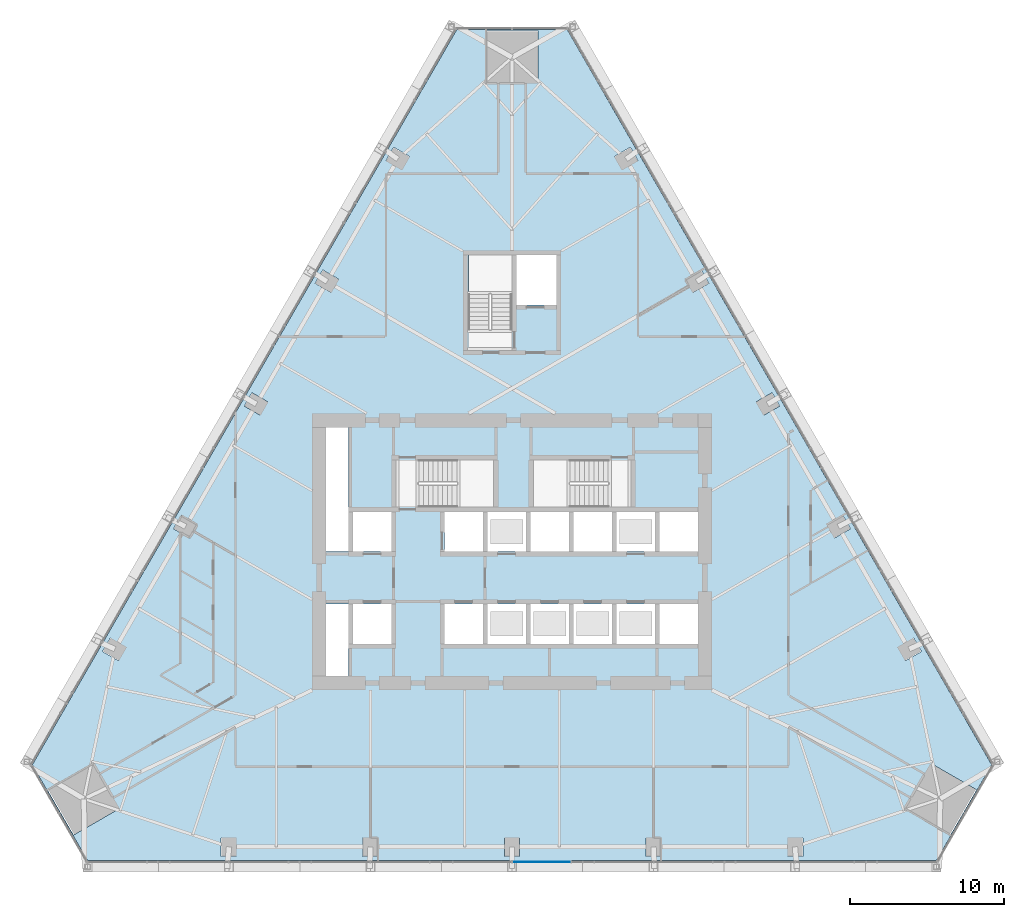
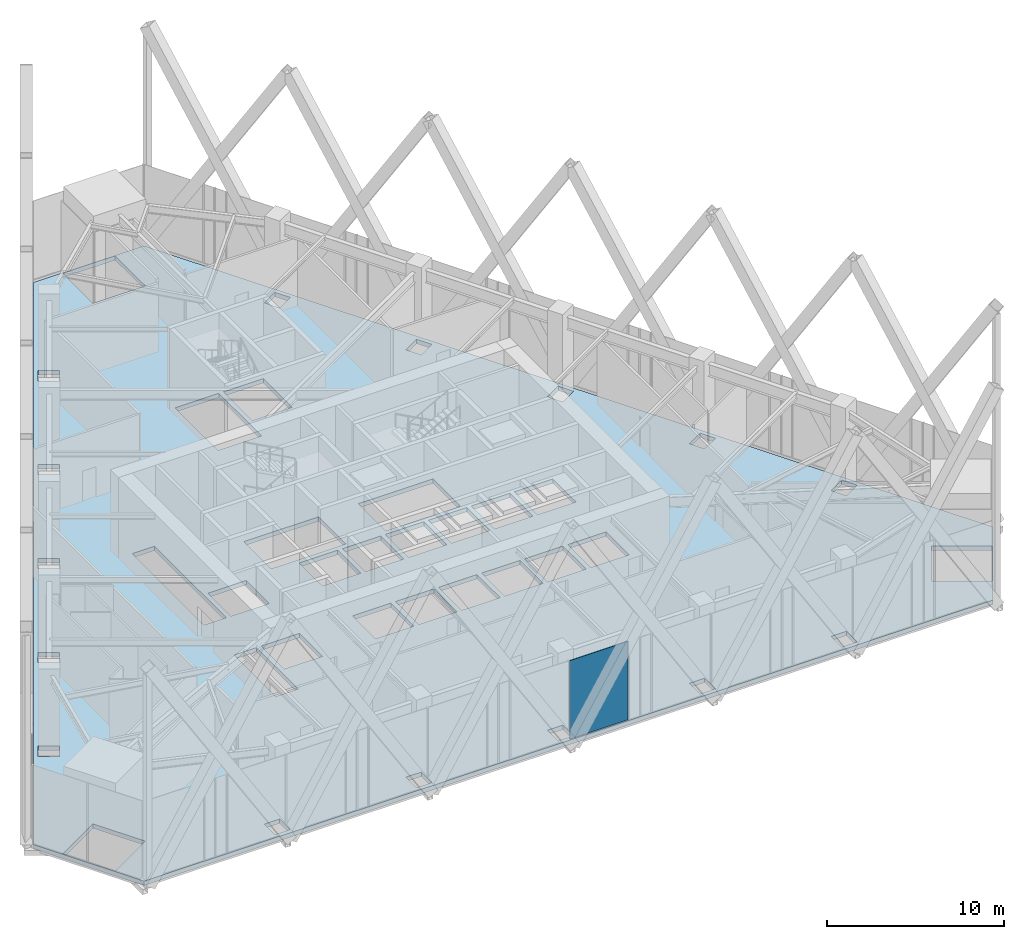
# One storey, part 12 of 21: 1 plate, 1 slab, 1 element without a shape of its own.
"""IFC4 building model written with IfcOpenShell, lengths in metres."""

from ifc_helpers import new_model, si_unit, direction, frame, origin, place, context, subcontext, project, spatial, polyline, outline, extrude, material, layer, layer_set, type_object, element, aggregate, save


model = new_model("IFC4")

# Units and contexts
model_context = context("Model", 3, precision=1e-05, world=origin(), true_north=direction((0.0, 1.0)))
body_context = subcontext(model_context, "Body", "Model", "MODEL_VIEW")
ifc_project = project(units=[si_unit("LENGTHUNIT", "METRE"), si_unit("AREAUNIT", "SQUARE_METRE"), si_unit("VOLUMEUNIT", "CUBIC_METRE"), si_unit("PLANEANGLEUNIT", "RADIAN"), si_unit("MASSUNIT", "GRAM", prefix="KILO")], contexts=[model_context])

# Site, building, storey
site_placement = place(None, origin())
site = spatial("IfcSite", under=ifc_project, at=site_placement, CompositionType="ELEMENT")
building_placement = place(site_placement, origin())
building = spatial("IfcBuilding", under=site, at=building_placement, Name="Firuza Gate Tower and Library", CompositionType="ELEMENT")
storey_placement = place(building_placement, frame((0.0, 0.0, 140.800048828125)))
storey = spatial("IfcBuildingStorey", under=building, at=storey_placement, Name="L32", CompositionType="ELEMENT", Elevation=140.800048828125)

# Slab
ifc_material_1 = material(Name="Concrete C40/50", Category="concrete")
ifc_layer_1 = layer(ifc_material_1, 0.300048828125)
ifc_layer_set_1 = layer_set([ifc_layer_1], Name="Composite floor slab 300 C40/50")
slab_type = type_object("IfcSlabType", Name="Composite floor slab 300 C40/50", PredefinedType="FLOOR", material=ifc_layer_set_1)
slab_placement = place(storey_placement, frame((0.0, 0.0, -0.300048828125)))
element("IfcSlab", 1, at=slab_placement, inside=storey, type_object=slab_type, Name="Floor slab L32", PredefinedType="FLOOR", context=body_context, shape_type="SweptSolid", body=[
    extrude(outline(polyline([(43.77978515625, 61.1318359375), (47.3798828125, 54.896484375), (102.6201171875, 54.896484375), (106.22021484375, 61.1318359375), (78.60009765625, 108.971435546875), (71.39990234375, 108.971435546875), (43.77978515625, 61.1318359375)]), holes=[polyline([(56.0537109375, 55.168212890625), (56.0537109375, 56.3681640625), (57.0537109375, 56.3681640625), (57.0537109375, 55.168212890625), (56.0537109375, 55.168212890625)]), polyline([(65.27685546875, 55.168212890625), (65.27685546875, 56.3681640625), (66.27685546875, 56.3681640625), (66.27685546875, 55.168212890625), (65.27685546875, 55.168212890625)]), polyline([(44.767333984375, 59.508056640625), (47.711669921875, 61.2080078125), (49.41162109375, 58.263671875), (46.46728515625, 56.563720703125), (44.767333984375, 59.508056640625)]), polyline([(48.85205078125, 69.3740234375), (49.89111328125, 68.77392578125), (49.39111328125, 67.907958984375), (48.35205078125, 68.508056640625), (48.85205078125, 69.3740234375)]), polyline([(64.35009765625, 66.89990234375), (62.89990234375, 66.89990234375), (62.89990234375, 71.60009765625), (64.35009765625, 71.60009765625), (64.35009765625, 66.89990234375)]), polyline([(75.89990234375, 69.0), (73.39990234375, 69.0), (73.39990234375, 71.60009765625), (75.89990234375, 71.60009765625), (75.89990234375, 69.0)]), polyline([(73.10009765625, 69.0), (70.60009765625, 69.0), (70.60009765625, 71.60009765625), (73.10009765625, 71.60009765625), (73.10009765625, 69.0)]), polyline([(64.64990234375, 69.0), (64.64990234375, 71.60009765625), (67.14990234375, 71.60009765625), (67.14990234375, 69.0), (64.64990234375, 69.0)]), polyline([(64.64990234375, 75.0), (64.64990234375, 77.60009765625), (67.14990234375, 77.60009765625), (67.14990234375, 75.0), (64.64990234375, 75.0)]), polyline([(75.89990234375, 75.0), (73.39990234375, 75.0), (73.39990234375, 77.60009765625), (75.89990234375, 77.60009765625), (75.89990234375, 75.0)]), polyline([(73.10009765625, 75.0), (70.60009765625, 75.0), (70.60009765625, 77.60009765625), (73.10009765625, 77.60009765625), (73.10009765625, 75.0)]), polyline([(53.463623046875, 77.361572265625), (54.502685546875, 76.761474609375), (54.002685546875, 75.8955078125), (52.963623046875, 76.495361328125), (53.463623046875, 77.361572265625)]), polyline([(62.89990234375, 75.0), (62.89990234375, 83.10009765625), (64.35009765625, 83.10009765625), (64.35009765625, 75.0), (62.89990234375, 75.0)]), polyline([(68.9404296875, 77.89990234375), (68.9404296875, 80.97998046875), (73.81005859375, 80.97998046875), (73.81005859375, 77.89990234375), (68.9404296875, 77.89990234375)]), polyline([(58.0751953125, 85.348876953125), (59.1142578125, 84.7490234375), (58.6142578125, 83.8828125), (57.5751953125, 84.48291015625), (58.0751953125, 85.348876953125)]), polyline([(72.159912109375, 89.470458984375), (72.159912109375, 94.300048828125), (75.0, 94.300048828125), (75.0, 89.470458984375), (72.159912109375, 89.470458984375)]), polyline([(62.686767578125, 93.33642578125), (63.725830078125, 92.736328125), (63.225830078125, 91.870361328125), (62.186767578125, 92.470458984375), (62.686767578125, 93.33642578125)]), polyline([(68.33740234375, 100.723876953125), (67.83740234375, 99.85791015625), (66.79833984375, 100.457763671875), (67.29833984375, 101.323974609375), (68.33740234375, 100.723876953125)]), polyline([(76.699951171875, 105.5283203125), (73.300048828125, 105.5283203125), (73.300048828125, 108.92822265625), (76.699951171875, 108.92822265625), (76.699951171875, 105.5283203125)]), polyline([(92.9462890625, 55.168212890625), (92.9462890625, 56.3681640625), (93.9462890625, 56.3681640625), (93.9462890625, 55.168212890625), (92.9462890625, 55.168212890625)]), polyline([(74.5, 55.168212890625), (74.5, 56.3681640625), (75.5, 56.3681640625), (75.5, 55.168212890625), (74.5, 55.168212890625)]), polyline([(83.72314453125, 55.168212890625), (83.72314453125, 56.3681640625), (84.72314453125, 56.3681640625), (84.72314453125, 55.168212890625), (83.72314453125, 55.168212890625)]), polyline([(103.53271484375, 56.563720703125), (100.58837890625, 58.263671875), (102.288330078125, 61.2080078125), (105.232666015625, 59.508056640625), (103.53271484375, 56.563720703125)]), polyline([(101.64794921875, 68.508056640625), (100.60888671875, 67.907958984375), (100.10888671875, 68.77392578125), (101.14794921875, 69.3740234375), (101.64794921875, 68.508056640625)]), polyline([(78.699951171875, 69.0), (76.199951171875, 69.0), (76.199951171875, 71.60009765625), (78.699951171875, 71.60009765625), (78.699951171875, 69.0)]), polyline([(81.5, 69.0), (79.0, 69.0), (79.0, 71.60009765625), (81.5, 71.60009765625), (81.5, 69.0)]), polyline([(84.60009765625, 69.0), (84.60009765625, 71.60009765625), (87.10009765625, 71.60009765625), (87.10009765625, 69.0), (84.60009765625, 69.0)]), polyline([(81.800048828125, 69.0), (81.800048828125, 71.60009765625), (84.300048828125, 71.60009765625), (84.300048828125, 69.0), (81.800048828125, 69.0)]), polyline([(84.300048828125, 75.0), (81.800048828125, 75.0), (81.800048828125, 77.60009765625), (84.300048828125, 77.60009765625), (84.300048828125, 75.0)]), polyline([(87.10009765625, 75.0), (84.60009765625, 75.0), (84.60009765625, 77.60009765625), (87.10009765625, 77.60009765625), (87.10009765625, 75.0)]), polyline([(81.5, 75.0), (79.0, 75.0), (79.0, 77.60009765625), (81.5, 77.60009765625), (81.5, 75.0)]), polyline([(76.199951171875, 75.0), (76.199951171875, 77.60009765625), (78.699951171875, 77.60009765625), (78.699951171875, 75.0), (76.199951171875, 75.0)]), polyline([(95.997314453125, 75.8955078125), (95.497314453125, 76.761474609375), (96.536376953125, 77.361572265625), (97.036376953125, 76.495361328125), (95.997314453125, 75.8955078125)]), polyline([(81.259521484375, 77.89990234375), (76.389892578125, 77.89990234375), (76.389892578125, 80.97998046875), (81.259521484375, 80.97998046875), (81.259521484375, 77.89990234375)]), polyline([(92.4248046875, 84.48291015625), (91.3857421875, 83.8828125), (90.8857421875, 84.7490234375), (91.9248046875, 85.348876953125), (92.4248046875, 84.48291015625)]), polyline([(87.813232421875, 92.470458984375), (86.774169921875, 91.870361328125), (86.274169921875, 92.736328125), (87.313232421875, 93.33642578125), (87.813232421875, 92.470458984375)]), polyline([(75.300048828125, 91.050048828125), (75.300048828125, 94.300048828125), (77.89990234375, 94.300048828125), (77.89990234375, 91.050048828125), (75.300048828125, 91.050048828125)]), polyline([(82.16259765625, 99.85791015625), (81.66259765625, 100.723876953125), (82.70166015625, 101.323974609375), (83.20166015625, 100.457763671875), (82.16259765625, 99.85791015625)])]), origin(), (0.0, 0.0, 1.0), 0.300048828125),
])

# Curtain wall, plate
ifc_material_2 = material(Name="Aluminium 6063-T6", Category="aluminium")
ifc_layer_2 = layer(ifc_material_2, 0.14990234375)
ifc_layer_set_2 = layer_set([ifc_layer_2], Name="Unitised curtain wall, offices")
curtain_wall_type = type_object("IfcCurtainWallType", Name="Unitised curtain wall, offices", PredefinedType="NOTDEFINED", material=ifc_layer_set_2)
curtain_wall_placement = place(storey_placement, origin())
curtain_wall = element("IfcCurtainWall", 2, at=curtain_wall_placement, inside=storey, type_object=curtain_wall_type, Name="CW1 L32 S face", PredefinedType="NOTDEFINED")
ifc_material_3 = material(Name="Glazed ceramic tile")
ifc_layer_3 = layer(ifc_material_3, 0.030029296875)
ifc_layer_set_3 = layer_set([ifc_layer_3], Name="Opaque ceramic panel, offices")
plate_type = type_object("IfcPlateType", Name="Opaque ceramic panel, offices", PredefinedType="CURTAIN_PANEL", material=ifc_layer_set_3)
plate_placement = place(storey_placement, frame((75.0400390625, 54.806640625, 0.14990234375), z_axis=(0.0, -1.0, 0.0), x_axis=(1.0, 0.0, 0.0)))
plate = element("IfcPlate", 3, at=plate_placement, type_object=plate_type, Name="Opaque ceramic panel", PredefinedType="CURTAIN_PANEL", context=body_context, shape_type="SweptSolid", body=[
    extrude(outline(polyline([(0.0, 0.0), (3.7822265625, 0.0), (3.7822265625, 5.400146484375), (0.0, 5.400146484375), (0.0, 0.0)])), origin(), (0.0, 0.0, -1.0), 0.030029296875),
])
aggregate(curtain_wall, [plate])

save(model, "model.ifc")
